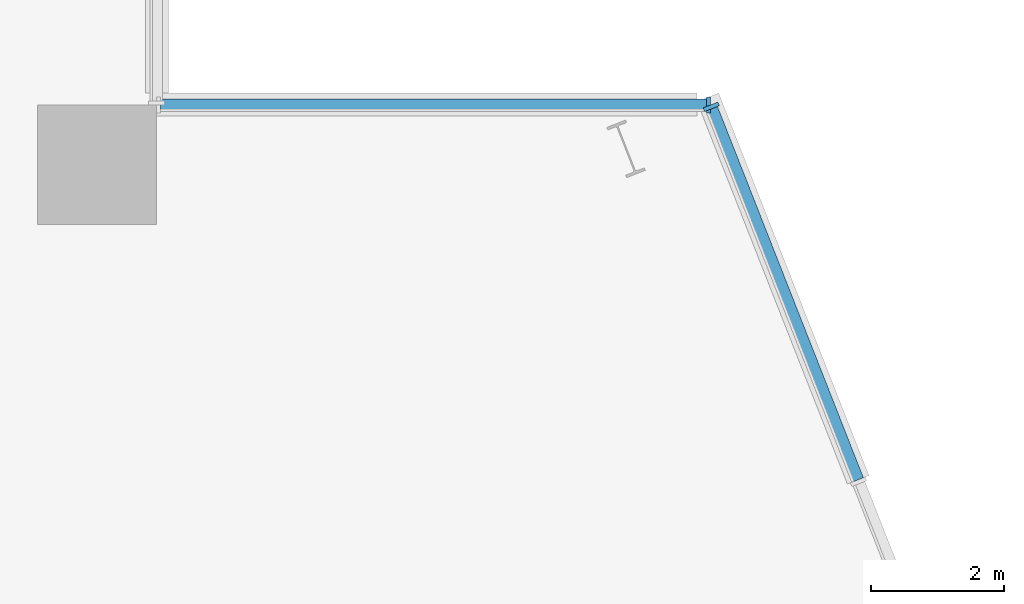
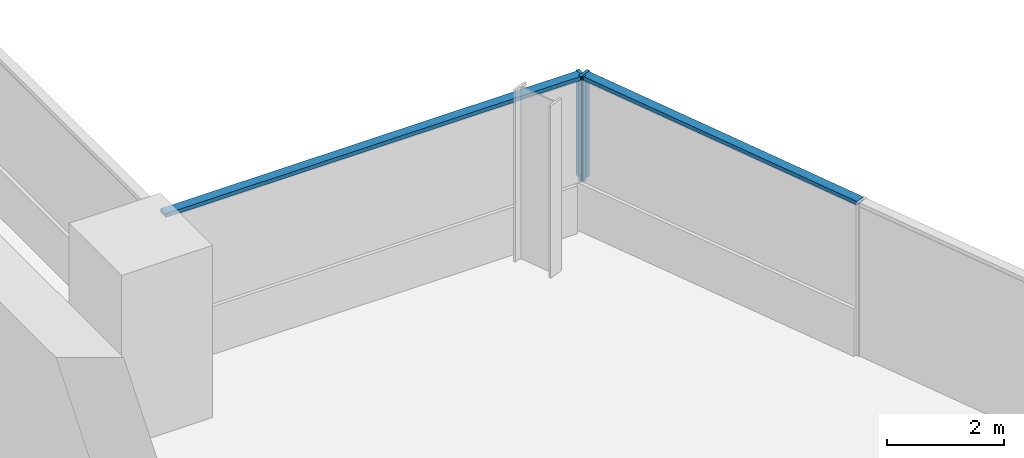
# One storey, part 11 of 25: 4 members, 2 elements without a shape of their own.
"""IFC4 building model written with IfcOpenShell, lengths in metres."""

from ifc_helpers import new_model, si_unit, direction, frame, origin, origin_2d, place, context, subcontext, project, spatial, rectangle, extrude, material, material_profile, profile_set, type_object, element, aggregate, save


model = new_model("IFC4")

# Units and contexts
model_context = context("Model", 3, precision=1e-05, world=origin(), true_north=direction((0.0, 1.0)))
body_context = subcontext(model_context, "Body", "Model", "MODEL_VIEW")
ifc_project = project(units=[si_unit("LENGTHUNIT", "METRE"), si_unit("AREAUNIT", "SQUARE_METRE"), si_unit("VOLUMEUNIT", "CUBIC_METRE"), si_unit("PLANEANGLEUNIT", "RADIAN"), si_unit("MASSUNIT", "GRAM", prefix="KILO")], contexts=[model_context])

# Site, building, storey
site_placement = place(None, origin())
site = spatial("IfcSite", under=ifc_project, at=site_placement, CompositionType="ELEMENT")
building_placement = place(site_placement, origin())
building = spatial("IfcBuilding", under=site, at=building_placement, Name="Wharfspan Tower", CompositionType="ELEMENT")
storey_placement = place(building_placement, frame((0.0, 0.0, 121.899902)))
storey = spatial("IfcBuildingStorey", under=building, at=storey_placement, Name="L28", CompositionType="ELEMENT", Elevation=121.899902)

# Curtain wall, member
ifc_material = material(Name="Aluminium 6063-T6", Category="aluminium")
curtain_wall_type = type_object("IfcCurtainWallType", Name="CURTAIN WALL PROW AND END", PredefinedType="NOTDEFINED", material=ifc_material)
curtain_wall_1_placement = place(storey_placement, origin())
curtain_wall_1 = element("IfcCurtainWall", 1, at=curtain_wall_1_placement, inside=storey, type_object=curtain_wall_type, Name="Curtain wall E", PredefinedType="NOTDEFINED")
ifc_material_profile_1 = material_profile(ifc_material, rectangle(XDim=0.23999, YDim=0.060059, at=origin_2d()))
ifc_profile_set_1 = profile_set([ifc_material_profile_1], Name="Aluminium 6063-T6")
member_type_1 = type_object("IfcMemberType", Name="MULLION PROW AND END 60x240", PredefinedType="MULLION", material=ifc_profile_set_1)
member_1_placement = place(storey_placement, frame((76.369141, 41.972168, 1.0), z_axis=(0.0, 0.0, 1.0), x_axis=(-0.930702, -0.365778, 0.0)))
member_1 = element("IfcMember", 2, at=member_1_placement, type_object=member_type_1, Name="Curtain wall E mullion 8", PredefinedType="MULLION", context=body_context, shape_type="SweptSolid", body=[
    extrude(rectangle(XDim=0.23999, YDim=0.060059, at=origin_2d()), origin(), (0.0, 0.0, 1.0), 2.200195),
])

curtain_wall_2_placement = place(storey_placement, origin())
curtain_wall_2 = element("IfcCurtainWall", 3, at=curtain_wall_2_placement, inside=storey, type_object=curtain_wall_type, Name="Curtain wall NRE-H", PredefinedType="NOTDEFINED")
member_2_placement = place(storey_placement, frame((76.328125, 42.0, 1.0), z_axis=(0.0, 0.0, 1.0), x_axis=(0.0, -1.0, 0.0)))
member_2 = element("IfcMember", 4, at=member_2_placement, type_object=member_type_1, Name="Curtain wall NRE-H mullion 1", PredefinedType="MULLION", context=body_context, shape_type="SweptSolid", body=[
    extrude(rectangle(XDim=0.23999, YDim=0.060059, at=origin_2d()), origin(), (0.0, 0.0, 1.0), 2.200195),
])

# Member
ifc_material_profile_2 = material_profile(ifc_material, rectangle(XDim=0.179932, YDim=0.080078, at=origin_2d()))
ifc_profile_set_2 = profile_set([ifc_material_profile_2], Name="Aluminium 6063-T6")
member_type_2 = type_object("IfcMemberType", Name="TRANSOM PROW AND END 80x180", PredefinedType="USERDEFINED", material=ifc_profile_set_2)
member_3_placement = place(storey_placement, frame((78.581787, 36.342285, 3.160156), z_axis=(-0.365789, 0.930698, 0.0), x_axis=(-0.930698, -0.365789, 0.0)))
member_3 = element("IfcMember", 5, at=member_3_placement, type_object=member_type_2, Name="Curtain wall E transom 7", ObjectType="TRANSOM", PredefinedType="USERDEFINED", context=body_context, shape_type="SweptSolid", body=[
    extrude(rectangle(XDim=0.179932, YDim=0.080078, at=origin_2d()), origin(), (0.0, 0.0, 1.0), 6.019043),
])

aggregate(curtain_wall_1, [member_1, member_3])

member_4_placement = place(storey_placement, frame((76.298096, 42.0, 3.160156), z_axis=(-1.0, 0.0, 0.0), x_axis=(0.0, -1.0, 0.0)))
member_4 = element("IfcMember", 6, at=member_4_placement, type_object=member_type_2, Name="Curtain wall NRE-H transom 1", ObjectType="TRANSOM", PredefinedType="USERDEFINED", context=body_context, shape_type="SweptSolid", body=[
    extrude(rectangle(XDim=0.179932, YDim=0.080078, at=origin_2d()), origin(), (0.0, 0.0, 1.0), 8.238037),
])

aggregate(curtain_wall_2, [member_2, member_4])

save(model, "model.ifc")
